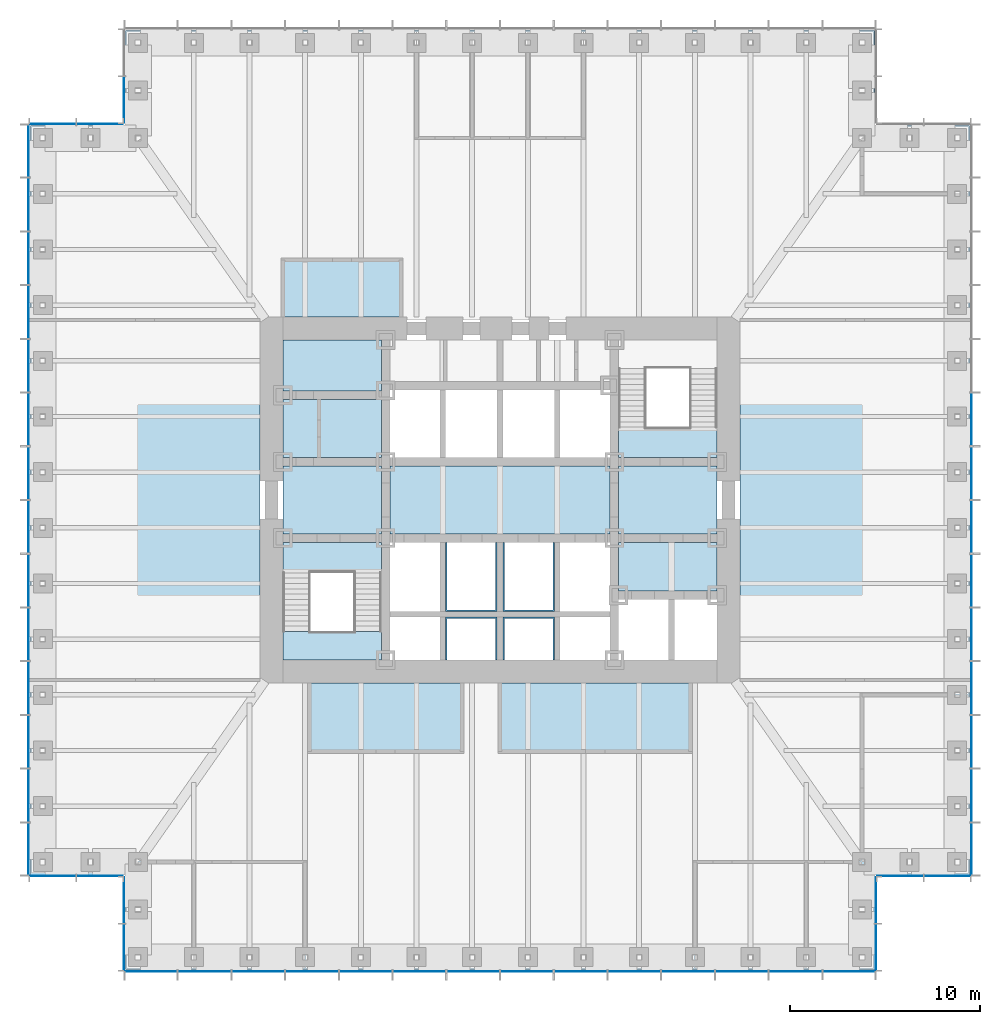
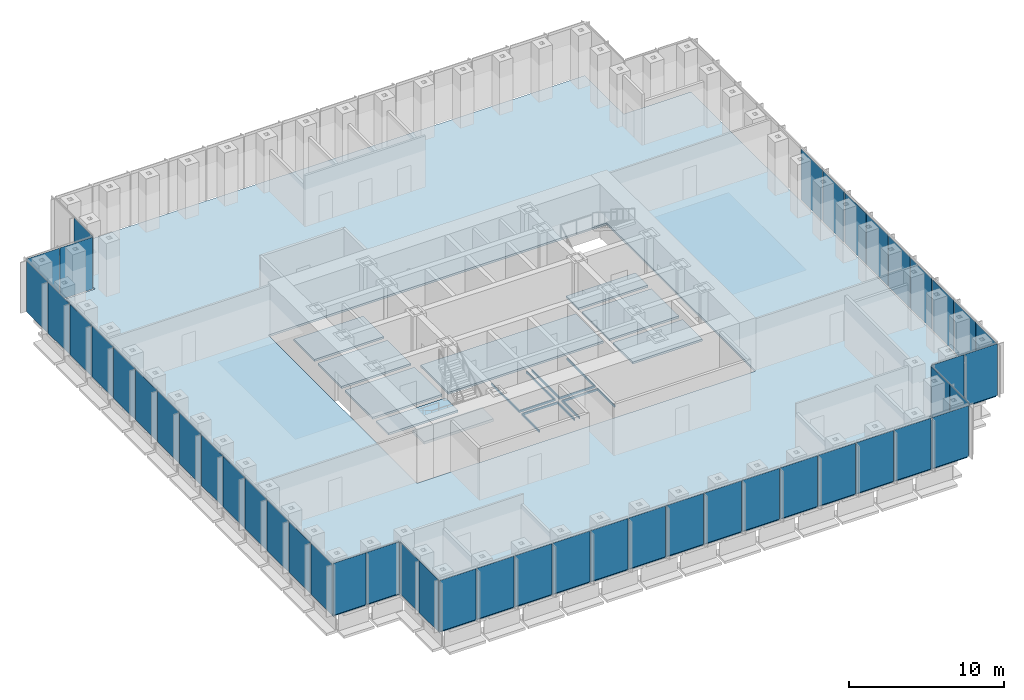
# One storey, part 7 of 16: 48 plates, 14 slabs, 10 elements without a shape of their own.
"""IFC4 building model written with IfcOpenShell, lengths in metres."""

from ifc_helpers import new_model, si_unit, direction, frame, origin, origin_2d, place, context, subcontext, project, spatial, polyline, rectangle, outline, extrude, material, layer, layer_set, type_object, element, aggregate, save


model = new_model("IFC4")

# Units and contexts
model_context = context("Model", 3, precision=1e-05, world=origin(), true_north=direction((0.0, 1.0)))
body_context = subcontext(model_context, "Body", "Model", "MODEL_VIEW")
ifc_project = project(units=[si_unit("LENGTHUNIT", "METRE"), si_unit("AREAUNIT", "SQUARE_METRE"), si_unit("VOLUMEUNIT", "CUBIC_METRE"), si_unit("PLANEANGLEUNIT", "RADIAN"), si_unit("MASSUNIT", "GRAM", prefix="KILO")], contexts=[model_context])

# Site, building, storey
site_placement = place(None, origin())
site = spatial("IfcSite", under=ifc_project, at=site_placement, CompositionType="ELEMENT")
building_placement = place(site_placement, origin())
building = spatial("IfcBuilding", under=site, at=building_placement, Name="Daluyong Arena Tower", CompositionType="ELEMENT")
storey_placement = place(building_placement, frame((0.0, 0.0, 39.10009765625)))
storey = spatial("IfcBuildingStorey", under=building, at=storey_placement, Name="L07", CompositionType="ELEMENT", Elevation=39.10009765625)

# Curtain wall, plates
ifc_material_1 = material(Name="Bronze anodised aluminium and glass", Category="aluminium")
curtain_wall_type_1 = type_object("IfcCurtainWallType", Name="Curtain wall CW1", PredefinedType="USERDEFINED", material=ifc_material_1)
curtain_wall_1_placement = place(storey_placement, origin())
curtain_wall_1 = element("IfcCurtainWall", 1, at=curtain_wall_1_placement, inside=storey, type_object=curtain_wall_type_1, Name="curtain wall L07 S", ObjectType="UNITISED CURTAIN WALL", PredefinedType="USERDEFINED")
ifc_material_2 = material(Name="Tinted double glazed unit", Category="glass")
ifc_layer_1 = layer(ifc_material_2, 0.031982421875)
ifc_layer_set_1 = layer_set([ifc_layer_1], Name="Tinted double glazed unit")
plate_type_1 = type_object("IfcPlateType", Name="CW1 panel 32", PredefinedType="CURTAIN_PANEL", material=ifc_layer_set_1)
plate_1_placement = place(storey_placement, frame((37.6806640625, 55.25, 0.0), z_axis=(0.0, 0.0, 1.0), x_axis=(1.0, 0.0, 0.0)))
plate_1 = element("IfcPlate", 2, at=plate_1_placement, type_object=plate_type_1, Name="curtain wall L07 S panel 1", PredefinedType="CURTAIN_PANEL", context=body_context, shape_type="SweptSolid", body=[
    extrude(rectangle(XDim=2.701416015625, YDim=0.031982421875, at=origin_2d()), origin(), (0.0, 0.0, 1.0), 4.0),
])
plate_2_placement = place(storey_placement, frame((40.482177734375, 55.25, 0.0), z_axis=(0.0, 0.0, 1.0), x_axis=(1.0, 0.0, 0.0)))
plate_2 = element("IfcPlate", 3, at=plate_2_placement, type_object=plate_type_1, Name="curtain wall L07 S panel 2", PredefinedType="CURTAIN_PANEL", context=body_context, shape_type="SweptSolid", body=[
    extrude(rectangle(XDim=2.741455078125, YDim=0.031982421875, at=origin_2d()), origin(), (0.0, 0.0, 1.0), 4.0),
])
plate_3_placement = place(storey_placement, frame((43.303466796875, 55.25, 0.0), z_axis=(0.0, 0.0, 1.0), x_axis=(1.0, 0.0, 0.0)))
plate_3 = element("IfcPlate", 4, at=plate_3_placement, type_object=plate_type_1, Name="curtain wall L07 S panel 3", PredefinedType="CURTAIN_PANEL", context=body_context, shape_type="SweptSolid", body=[
    extrude(rectangle(XDim=2.741455078125, YDim=0.031982421875, at=origin_2d()), origin(), (0.0, 0.0, 1.0), 4.0),
])
plate_4_placement = place(storey_placement, frame((46.125, 55.25, 0.0), z_axis=(0.0, 0.0, 1.0), x_axis=(1.0, 0.0, 0.0)))
plate_4 = element("IfcPlate", 5, at=plate_4_placement, type_object=plate_type_1, Name="curtain wall L07 S panel 4", PredefinedType="CURTAIN_PANEL", context=body_context, shape_type="SweptSolid", body=[
    extrude(rectangle(XDim=2.741455078125, YDim=0.031982421875, at=origin_2d()), origin(), (0.0, 0.0, 1.0), 4.0),
])
plate_5_placement = place(storey_placement, frame((48.946533203125, 55.25, 0.0), z_axis=(0.0, 0.0, 1.0), x_axis=(1.0, 0.0, 0.0)))
plate_5 = element("IfcPlate", 6, at=plate_5_placement, type_object=plate_type_1, Name="curtain wall L07 S panel 5", PredefinedType="CURTAIN_PANEL", context=body_context, shape_type="SweptSolid", body=[
    extrude(rectangle(XDim=2.741455078125, YDim=0.031982421875, at=origin_2d()), origin(), (0.0, 0.0, 1.0), 4.0),
])
plate_6_placement = place(storey_placement, frame((51.767822265625, 55.25, 0.0), z_axis=(0.0, 0.0, 1.0), x_axis=(1.0, 0.0, 0.0)))
plate_6 = element("IfcPlate", 7, at=plate_6_placement, type_object=plate_type_1, Name="curtain wall L07 S panel 6", PredefinedType="CURTAIN_PANEL", context=body_context, shape_type="SweptSolid", body=[
    extrude(rectangle(XDim=2.741455078125, YDim=0.031982421875, at=origin_2d()), origin(), (0.0, 0.0, 1.0), 4.0),
])
plate_7_placement = place(storey_placement, frame((54.58935546875, 55.25, 0.0), z_axis=(0.0, 0.0, 1.0), x_axis=(1.0, 0.0, 0.0)))
plate_7 = element("IfcPlate", 8, at=plate_7_placement, type_object=plate_type_1, Name="curtain wall L07 S panel 7", PredefinedType="CURTAIN_PANEL", context=body_context, shape_type="SweptSolid", body=[
    extrude(rectangle(XDim=2.741455078125, YDim=0.031982421875, at=origin_2d()), origin(), (0.0, 0.0, 1.0), 4.0),
])
plate_8_placement = place(storey_placement, frame((57.41064453125, 55.25, 0.0), z_axis=(0.0, 0.0, 1.0), x_axis=(1.0, 0.0, 0.0)))
plate_8 = element("IfcPlate", 9, at=plate_8_placement, type_object=plate_type_1, Name="curtain wall L07 S panel 8", PredefinedType="CURTAIN_PANEL", context=body_context, shape_type="SweptSolid", body=[
    extrude(rectangle(XDim=2.741455078125, YDim=0.031982421875, at=origin_2d()), origin(), (0.0, 0.0, 1.0), 4.0),
])
plate_9_placement = place(storey_placement, frame((60.232177734375, 55.25, 0.0), z_axis=(0.0, 0.0, 1.0), x_axis=(1.0, 0.0, 0.0)))
plate_9 = element("IfcPlate", 10, at=plate_9_placement, type_object=plate_type_1, Name="curtain wall L07 S panel 9", PredefinedType="CURTAIN_PANEL", context=body_context, shape_type="SweptSolid", body=[
    extrude(rectangle(XDim=2.741455078125, YDim=0.031982421875, at=origin_2d()), origin(), (0.0, 0.0, 1.0), 4.0),
])
plate_10_placement = place(storey_placement, frame((63.053466796875, 55.25, 0.0), z_axis=(0.0, 0.0, 1.0), x_axis=(1.0, 0.0, 0.0)))
plate_10 = element("IfcPlate", 11, at=plate_10_placement, type_object=plate_type_1, Name="curtain wall L07 S panel 10", PredefinedType="CURTAIN_PANEL", context=body_context, shape_type="SweptSolid", body=[
    extrude(rectangle(XDim=2.741455078125, YDim=0.031982421875, at=origin_2d()), origin(), (0.0, 0.0, 1.0), 4.0),
])
plate_11_placement = place(storey_placement, frame((65.875, 55.25, 0.0), z_axis=(0.0, 0.0, 1.0), x_axis=(1.0, 0.0, 0.0)))
plate_11 = element("IfcPlate", 12, at=plate_11_placement, type_object=plate_type_1, Name="curtain wall L07 S panel 11", PredefinedType="CURTAIN_PANEL", context=body_context, shape_type="SweptSolid", body=[
    extrude(rectangle(XDim=2.741455078125, YDim=0.031982421875, at=origin_2d()), origin(), (0.0, 0.0, 1.0), 4.0),
])
plate_12_placement = place(storey_placement, frame((68.696533203125, 55.25, 0.0), z_axis=(0.0, 0.0, 1.0), x_axis=(1.0, 0.0, 0.0)))
plate_12 = element("IfcPlate", 13, at=plate_12_placement, type_object=plate_type_1, Name="curtain wall L07 S panel 12", PredefinedType="CURTAIN_PANEL", context=body_context, shape_type="SweptSolid", body=[
    extrude(rectangle(XDim=2.741455078125, YDim=0.031982421875, at=origin_2d()), origin(), (0.0, 0.0, 1.0), 4.0),
])
plate_13_placement = place(storey_placement, frame((71.517822265625, 55.25, 0.0), z_axis=(0.0, 0.0, 1.0), x_axis=(1.0, 0.0, 0.0)))
plate_13 = element("IfcPlate", 14, at=plate_13_placement, type_object=plate_type_1, Name="curtain wall L07 S panel 13", PredefinedType="CURTAIN_PANEL", context=body_context, shape_type="SweptSolid", body=[
    extrude(rectangle(XDim=2.741455078125, YDim=0.031982421875, at=origin_2d()), origin(), (0.0, 0.0, 1.0), 4.0),
])
plate_14_placement = place(storey_placement, frame((74.3193359375, 55.25, 0.0), z_axis=(0.0, 0.0, 1.0), x_axis=(1.0, 0.0, 0.0)))
plate_14 = element("IfcPlate", 15, at=plate_14_placement, type_object=plate_type_1, Name="curtain wall L07 S panel 14", PredefinedType="CURTAIN_PANEL", context=body_context, shape_type="SweptSolid", body=[
    extrude(rectangle(XDim=2.701416015625, YDim=0.031982421875, at=origin_2d()), origin(), (0.0, 0.0, 1.0), 4.0),
])
aggregate(curtain_wall_1, [plate_1, plate_2, plate_3, plate_4, plate_5, plate_6, plate_7, plate_8, plate_9, plate_10, plate_11, plate_12, plate_13, plate_14])

curtain_wall_2_placement = place(storey_placement, origin())
curtain_wall_2 = element("IfcCurtainWall", 16, at=curtain_wall_2_placement, inside=storey, type_object=curtain_wall_type_1, Name="curtain wall L07 E", ObjectType="UNITISED CURTAIN WALL", PredefinedType="USERDEFINED")
plate_15_placement = place(storey_placement, frame((80.75, 61.6806640625, 0.0), z_axis=(0.0, 0.0, 1.0), x_axis=(0.0, 1.0, 0.0)))
plate_15 = element("IfcPlate", 17, at=plate_15_placement, type_object=plate_type_1, Name="curtain wall L07 E panel 1", PredefinedType="CURTAIN_PANEL", context=body_context, shape_type="SweptSolid", body=[
    extrude(rectangle(XDim=2.701416015625, YDim=0.031982421875, at=origin_2d()), origin(), (0.0, 0.0, 1.0), 4.0),
])
plate_16_placement = place(storey_placement, frame((80.75, 64.482177734375, 0.0), z_axis=(0.0, 0.0, 1.0), x_axis=(0.0, 1.0, 0.0)))
plate_16 = element("IfcPlate", 18, at=plate_16_placement, type_object=plate_type_1, Name="curtain wall L07 E panel 2", PredefinedType="CURTAIN_PANEL", context=body_context, shape_type="SweptSolid", body=[
    extrude(rectangle(XDim=2.741455078125, YDim=0.031982421875, at=origin_2d()), origin(), (0.0, 0.0, 1.0), 4.0),
])
plate_17_placement = place(storey_placement, frame((80.75, 67.303466796875, 0.0), z_axis=(0.0, 0.0, 1.0), x_axis=(0.0, 1.0, 0.0)))
plate_17 = element("IfcPlate", 19, at=plate_17_placement, type_object=plate_type_1, Name="curtain wall L07 E panel 3", PredefinedType="CURTAIN_PANEL", context=body_context, shape_type="SweptSolid", body=[
    extrude(rectangle(XDim=2.741455078125, YDim=0.031982421875, at=origin_2d()), origin(), (0.0, 0.0, 1.0), 4.0),
])
plate_18_placement = place(storey_placement, frame((80.75, 70.125, 0.0), z_axis=(0.0, 0.0, 1.0), x_axis=(0.0, 1.0, 0.0)))
plate_18 = element("IfcPlate", 20, at=plate_18_placement, type_object=plate_type_1, Name="curtain wall L07 E panel 4", PredefinedType="CURTAIN_PANEL", context=body_context, shape_type="SweptSolid", body=[
    extrude(rectangle(XDim=2.741455078125, YDim=0.031982421875, at=origin_2d()), origin(), (0.0, 0.0, 1.0), 4.0),
])
plate_19_placement = place(storey_placement, frame((80.75, 72.946533203125, 0.0), z_axis=(0.0, 0.0, 1.0), x_axis=(0.0, 1.0, 0.0)))
plate_19 = element("IfcPlate", 21, at=plate_19_placement, type_object=plate_type_1, Name="curtain wall L07 E panel 5", PredefinedType="CURTAIN_PANEL", context=body_context, shape_type="SweptSolid", body=[
    extrude(rectangle(XDim=2.741455078125, YDim=0.031982421875, at=origin_2d()), origin(), (0.0, 0.0, 1.0), 4.0),
])
plate_20_placement = place(storey_placement, frame((80.75, 75.767822265625, 0.0), z_axis=(0.0, 0.0, 1.0), x_axis=(0.0, 1.0, 0.0)))
plate_20 = element("IfcPlate", 22, at=plate_20_placement, type_object=plate_type_1, Name="curtain wall L07 E panel 6", PredefinedType="CURTAIN_PANEL", context=body_context, shape_type="SweptSolid", body=[
    extrude(rectangle(XDim=2.741455078125, YDim=0.031982421875, at=origin_2d()), origin(), (0.0, 0.0, 1.0), 4.0),
])
plate_21_placement = place(storey_placement, frame((80.75, 78.58935546875, 0.0), z_axis=(0.0, 0.0, 1.0), x_axis=(0.0, 1.0, 0.0)))
plate_21 = element("IfcPlate", 23, at=plate_21_placement, type_object=plate_type_1, Name="curtain wall L07 E panel 7", PredefinedType="CURTAIN_PANEL", context=body_context, shape_type="SweptSolid", body=[
    extrude(rectangle(XDim=2.741455078125, YDim=0.031982421875, at=origin_2d()), origin(), (0.0, 0.0, 1.0), 4.0),
])
plate_22_placement = place(storey_placement, frame((80.75, 81.41064453125, 0.0), z_axis=(0.0, 0.0, 1.0), x_axis=(0.0, 1.0, 0.0)))
plate_22 = element("IfcPlate", 24, at=plate_22_placement, type_object=plate_type_1, Name="curtain wall L07 E panel 8", PredefinedType="CURTAIN_PANEL", context=body_context, shape_type="SweptSolid", body=[
    extrude(rectangle(XDim=2.741455078125, YDim=0.031982421875, at=origin_2d()), origin(), (0.0, 0.0, 1.0), 4.0),
])
plate_23_placement = place(storey_placement, frame((80.75, 84.232177734375, 0.0), z_axis=(0.0, 0.0, 1.0), x_axis=(0.0, 1.0, 0.0)))
plate_23 = element("IfcPlate", 25, at=plate_23_placement, type_object=plate_type_1, Name="curtain wall L07 E panel 9", PredefinedType="CURTAIN_PANEL", context=body_context, shape_type="SweptSolid", body=[
    extrude(rectangle(XDim=2.741455078125, YDim=0.031982421875, at=origin_2d()), origin(), (0.0, 0.0, 1.0), 4.0),
])
aggregate(curtain_wall_2, [plate_15, plate_16, plate_17, plate_18, plate_19, plate_20, plate_21, plate_22, plate_23])

curtain_wall_3_placement = place(storey_placement, origin())
curtain_wall_3 = element("IfcCurtainWall", 26, at=curtain_wall_3_placement, inside=storey, type_object=curtain_wall_type_1, Name="curtain wall L07 W", ObjectType="UNITISED CURTAIN WALL", PredefinedType="USERDEFINED")
plate_24_placement = place(storey_placement, frame((31.25, 98.3193359375, 0.0), z_axis=(0.0, 0.0, 1.0), x_axis=(0.0, -1.0, 0.0)))
plate_24 = element("IfcPlate", 27, at=plate_24_placement, type_object=plate_type_1, Name="curtain wall L07 W panel 1", PredefinedType="CURTAIN_PANEL", context=body_context, shape_type="SweptSolid", body=[
    extrude(rectangle(XDim=2.701416015625, YDim=0.031982421875, at=origin_2d()), origin(), (0.0, 0.0, 1.0), 4.0),
])
plate_25_placement = place(storey_placement, frame((31.25, 95.517822265625, 0.0), z_axis=(0.0, 0.0, 1.0), x_axis=(0.0, -1.0, 0.0)))
plate_25 = element("IfcPlate", 28, at=plate_25_placement, type_object=plate_type_1, Name="curtain wall L07 W panel 2", PredefinedType="CURTAIN_PANEL", context=body_context, shape_type="SweptSolid", body=[
    extrude(rectangle(XDim=2.741455078125, YDim=0.031982421875, at=origin_2d()), origin(), (0.0, 0.0, 1.0), 4.0),
])
plate_26_placement = place(storey_placement, frame((31.25, 92.696533203125, 0.0), z_axis=(0.0, 0.0, 1.0), x_axis=(0.0, -1.0, 0.0)))
plate_26 = element("IfcPlate", 29, at=plate_26_placement, type_object=plate_type_1, Name="curtain wall L07 W panel 3", PredefinedType="CURTAIN_PANEL", context=body_context, shape_type="SweptSolid", body=[
    extrude(rectangle(XDim=2.741455078125, YDim=0.031982421875, at=origin_2d()), origin(), (0.0, 0.0, 1.0), 4.0),
])
plate_27_placement = place(storey_placement, frame((31.25, 89.875, 0.0), z_axis=(0.0, 0.0, 1.0), x_axis=(0.0, -1.0, 0.0)))
plate_27 = element("IfcPlate", 30, at=plate_27_placement, type_object=plate_type_1, Name="curtain wall L07 W panel 4", PredefinedType="CURTAIN_PANEL", context=body_context, shape_type="SweptSolid", body=[
    extrude(rectangle(XDim=2.741455078125, YDim=0.031982421875, at=origin_2d()), origin(), (0.0, 0.0, 1.0), 4.0),
])
plate_28_placement = place(storey_placement, frame((31.25, 87.053466796875, 0.0), z_axis=(0.0, 0.0, 1.0), x_axis=(0.0, -1.0, 0.0)))
plate_28 = element("IfcPlate", 31, at=plate_28_placement, type_object=plate_type_1, Name="curtain wall L07 W panel 5", PredefinedType="CURTAIN_PANEL", context=body_context, shape_type="SweptSolid", body=[
    extrude(rectangle(XDim=2.741455078125, YDim=0.031982421875, at=origin_2d()), origin(), (0.0, 0.0, 1.0), 4.0),
])
plate_29_placement = place(storey_placement, frame((31.25, 84.232177734375, 0.0), z_axis=(0.0, 0.0, 1.0), x_axis=(0.0, -1.0, 0.0)))
plate_29 = element("IfcPlate", 32, at=plate_29_placement, type_object=plate_type_1, Name="curtain wall L07 W panel 6", PredefinedType="CURTAIN_PANEL", context=body_context, shape_type="SweptSolid", body=[
    extrude(rectangle(XDim=2.741455078125, YDim=0.031982421875, at=origin_2d()), origin(), (0.0, 0.0, 1.0), 4.0),
])
plate_30_placement = place(storey_placement, frame((31.25, 81.41064453125, 0.0), z_axis=(0.0, 0.0, 1.0), x_axis=(0.0, -1.0, 0.0)))
plate_30 = element("IfcPlate", 33, at=plate_30_placement, type_object=plate_type_1, Name="curtain wall L07 W panel 7", PredefinedType="CURTAIN_PANEL", context=body_context, shape_type="SweptSolid", body=[
    extrude(rectangle(XDim=2.741455078125, YDim=0.031982421875, at=origin_2d()), origin(), (0.0, 0.0, 1.0), 4.0),
])
plate_31_placement = place(storey_placement, frame((31.25, 78.58935546875, 0.0), z_axis=(0.0, 0.0, 1.0), x_axis=(0.0, -1.0, 0.0)))
plate_31 = element("IfcPlate", 34, at=plate_31_placement, type_object=plate_type_1, Name="curtain wall L07 W panel 8", PredefinedType="CURTAIN_PANEL", context=body_context, shape_type="SweptSolid", body=[
    extrude(rectangle(XDim=2.741455078125, YDim=0.031982421875, at=origin_2d()), origin(), (0.0, 0.0, 1.0), 4.0),
])
plate_32_placement = place(storey_placement, frame((31.25, 75.767822265625, 0.0), z_axis=(0.0, 0.0, 1.0), x_axis=(0.0, -1.0, 0.0)))
plate_32 = element("IfcPlate", 35, at=plate_32_placement, type_object=plate_type_1, Name="curtain wall L07 W panel 9", PredefinedType="CURTAIN_PANEL", context=body_context, shape_type="SweptSolid", body=[
    extrude(rectangle(XDim=2.741455078125, YDim=0.031982421875, at=origin_2d()), origin(), (0.0, 0.0, 1.0), 4.0),
])
plate_33_placement = place(storey_placement, frame((31.25, 72.946533203125, 0.0), z_axis=(0.0, 0.0, 1.0), x_axis=(0.0, -1.0, 0.0)))
plate_33 = element("IfcPlate", 36, at=plate_33_placement, type_object=plate_type_1, Name="curtain wall L07 W panel 10", PredefinedType="CURTAIN_PANEL", context=body_context, shape_type="SweptSolid", body=[
    extrude(rectangle(XDim=2.741455078125, YDim=0.031982421875, at=origin_2d()), origin(), (0.0, 0.0, 1.0), 4.0),
])
plate_34_placement = place(storey_placement, frame((31.25, 70.125, 0.0), z_axis=(0.0, 0.0, 1.0), x_axis=(0.0, -1.0, 0.0)))
plate_34 = element("IfcPlate", 37, at=plate_34_placement, type_object=plate_type_1, Name="curtain wall L07 W panel 11", PredefinedType="CURTAIN_PANEL", context=body_context, shape_type="SweptSolid", body=[
    extrude(rectangle(XDim=2.741455078125, YDim=0.031982421875, at=origin_2d()), origin(), (0.0, 0.0, 1.0), 4.0),
])
plate_35_placement = place(storey_placement, frame((31.25, 67.303466796875, 0.0), z_axis=(0.0, 0.0, 1.0), x_axis=(0.0, -1.0, 0.0)))
plate_35 = element("IfcPlate", 38, at=plate_35_placement, type_object=plate_type_1, Name="curtain wall L07 W panel 12", PredefinedType="CURTAIN_PANEL", context=body_context, shape_type="SweptSolid", body=[
    extrude(rectangle(XDim=2.741455078125, YDim=0.031982421875, at=origin_2d()), origin(), (0.0, 0.0, 1.0), 4.0),
])
plate_36_placement = place(storey_placement, frame((31.25, 64.482177734375, 0.0), z_axis=(0.0, 0.0, 1.0), x_axis=(0.0, -1.0, 0.0)))
plate_36 = element("IfcPlate", 39, at=plate_36_placement, type_object=plate_type_1, Name="curtain wall L07 W panel 13", PredefinedType="CURTAIN_PANEL", context=body_context, shape_type="SweptSolid", body=[
    extrude(rectangle(XDim=2.741455078125, YDim=0.031982421875, at=origin_2d()), origin(), (0.0, 0.0, 1.0), 4.0),
])
plate_37_placement = place(storey_placement, frame((31.25, 61.6806640625, 0.0), z_axis=(0.0, 0.0, 1.0), x_axis=(0.0, -1.0, 0.0)))
plate_37 = element("IfcPlate", 40, at=plate_37_placement, type_object=plate_type_1, Name="curtain wall L07 W panel 14", PredefinedType="CURTAIN_PANEL", context=body_context, shape_type="SweptSolid", body=[
    extrude(rectangle(XDim=2.701416015625, YDim=0.031982421875, at=origin_2d()), origin(), (0.0, 0.0, 1.0), 4.0),
])
aggregate(curtain_wall_3, [plate_24, plate_25, plate_26, plate_27, plate_28, plate_29, plate_30, plate_31, plate_32, plate_33, plate_34, plate_35, plate_36, plate_37])

ifc_material_3 = material(Name="Bronze anodised aluminium and glass", Category="aluminium")
curtain_wall_type_2 = type_object("IfcCurtainWallType", Name="Curtain wall CW7", PredefinedType="USERDEFINED", material=ifc_material_3)
curtain_wall_4_placement = place(storey_placement, origin())
curtain_wall_4 = element("IfcCurtainWall", 41, at=curtain_wall_4_placement, inside=storey, type_object=curtain_wall_type_2, Name="curtain wall L07 SE-E", ObjectType="UNITISED CURTAIN WALL", PredefinedType="USERDEFINED")
ifc_material_4 = material(Name="Tinted double glazed unit", Category="glass")
ifc_layer_2 = layer(ifc_material_4, 0.028076171875)
ifc_layer_set_2 = layer_set([ifc_layer_2], Name="Tinted double glazed unit")
plate_type_2 = type_object("IfcPlateType", Name="CW7 panel 28", PredefinedType="CURTAIN_PANEL", material=ifc_layer_set_2)
plate_38_placement = place(storey_placement, frame((75.75, 56.514892578125, -0.000244140625), z_axis=(0.0, 0.0, 1.0), x_axis=(0.0, 1.0, 0.0)))
plate_38 = element("IfcPlate", 42, at=plate_38_placement, type_object=plate_type_2, Name="curtain wall L07 SE-E panel 1", PredefinedType="CURTAIN_PANEL", context=body_context, shape_type="SweptSolid", body=[
    extrude(rectangle(XDim=2.409912109375, YDim=0.028076171875, at=origin_2d()), origin(), (0.0, 0.0, 1.0), 4.080078125),
])
plate_39_placement = place(storey_placement, frame((75.75, 58.985107421875, -0.000244140625), z_axis=(0.0, 0.0, 1.0), x_axis=(0.0, 1.0, 0.0)))
plate_39 = element("IfcPlate", 43, at=plate_39_placement, type_object=plate_type_2, Name="curtain wall L07 SE-E panel 2", PredefinedType="CURTAIN_PANEL", context=body_context, shape_type="SweptSolid", body=[
    extrude(rectangle(XDim=2.409912109375, YDim=0.028076171875, at=origin_2d()), origin(), (0.0, 0.0, 1.0), 4.080078125),
])
aggregate(curtain_wall_4, [plate_38, plate_39])

curtain_wall_5_placement = place(storey_placement, origin())
curtain_wall_5 = element("IfcCurtainWall", 44, at=curtain_wall_5_placement, inside=storey, type_object=curtain_wall_type_2, Name="curtain wall L07 SE-S", ObjectType="UNITISED CURTAIN WALL", PredefinedType="USERDEFINED")
plate_40_placement = place(storey_placement, frame((77.014892578125, 60.25, -0.000244140625), z_axis=(0.0, 0.0, 1.0), x_axis=(1.0, 0.0, 0.0)))
plate_40 = element("IfcPlate", 45, at=plate_40_placement, type_object=plate_type_2, Name="curtain wall L07 SE-S panel 1", PredefinedType="CURTAIN_PANEL", context=body_context, shape_type="SweptSolid", body=[
    extrude(rectangle(XDim=2.409912109375, YDim=0.028076171875, at=origin_2d()), origin(), (0.0, 0.0, 1.0), 4.080078125),
])
plate_41_placement = place(storey_placement, frame((79.485107421875, 60.25, -0.000244140625), z_axis=(0.0, 0.0, 1.0), x_axis=(1.0, 0.0, 0.0)))
plate_41 = element("IfcPlate", 46, at=plate_41_placement, type_object=plate_type_2, Name="curtain wall L07 SE-S panel 2", PredefinedType="CURTAIN_PANEL", context=body_context, shape_type="SweptSolid", body=[
    extrude(rectangle(XDim=2.409912109375, YDim=0.028076171875, at=origin_2d()), origin(), (0.0, 0.0, 1.0), 4.080078125),
])
aggregate(curtain_wall_5, [plate_40, plate_41])

# Curtain wall, plate
curtain_wall_6_placement = place(storey_placement, origin())
curtain_wall_6 = element("IfcCurtainWall", 47, at=curtain_wall_6_placement, inside=storey, type_object=curtain_wall_type_2, Name="curtain wall L07 NW-W", ObjectType="UNITISED CURTAIN WALL", PredefinedType="USERDEFINED")
plate_42_placement = place(storey_placement, frame((36.25, 101.014892578125, -0.000244140625), z_axis=(0.0, 0.0, 1.0), x_axis=(0.0, -1.0, 0.0)))
plate_42 = element("IfcPlate", 48, at=plate_42_placement, type_object=plate_type_2, Name="curtain wall L07 NW-W panel 2", PredefinedType="CURTAIN_PANEL", context=body_context, shape_type="SweptSolid", body=[
    extrude(rectangle(XDim=2.409912109375, YDim=0.028076171875, at=origin_2d()), origin(), (0.0, 0.0, 1.0), 4.080078125),
])
aggregate(curtain_wall_6, [plate_42])

# Curtain wall, plates
curtain_wall_7_placement = place(storey_placement, origin())
curtain_wall_7 = element("IfcCurtainWall", 49, at=curtain_wall_7_placement, inside=storey, type_object=curtain_wall_type_2, Name="curtain wall L07 NW-N", ObjectType="UNITISED CURTAIN WALL", PredefinedType="USERDEFINED")
plate_43_placement = place(storey_placement, frame((34.985107421875, 99.75, -0.000244140625), z_axis=(0.0, 0.0, 1.0), x_axis=(-1.0, 0.0, 0.0)))
plate_43 = element("IfcPlate", 50, at=plate_43_placement, type_object=plate_type_2, Name="curtain wall L07 NW-N panel 1", PredefinedType="CURTAIN_PANEL", context=body_context, shape_type="SweptSolid", body=[
    extrude(rectangle(XDim=2.409912109375, YDim=0.028076171875, at=origin_2d()), origin(), (0.0, 0.0, 1.0), 4.080078125),
])
plate_44_placement = place(storey_placement, frame((32.514892578125, 99.75, -0.000244140625), z_axis=(0.0, 0.0, 1.0), x_axis=(-1.0, 0.0, 0.0)))
plate_44 = element("IfcPlate", 51, at=plate_44_placement, type_object=plate_type_2, Name="curtain wall L07 NW-N panel 2", PredefinedType="CURTAIN_PANEL", context=body_context, shape_type="SweptSolid", body=[
    extrude(rectangle(XDim=2.409912109375, YDim=0.028076171875, at=origin_2d()), origin(), (0.0, 0.0, 1.0), 4.080078125),
])
aggregate(curtain_wall_7, [plate_43, plate_44])

curtain_wall_8_placement = place(storey_placement, origin())
curtain_wall_8 = element("IfcCurtainWall", 52, at=curtain_wall_8_placement, inside=storey, type_object=curtain_wall_type_2, Name="curtain wall L07 SW-S", ObjectType="UNITISED CURTAIN WALL", PredefinedType="USERDEFINED")
plate_45_placement = place(storey_placement, frame((32.514892578125, 60.25, -0.000244140625), z_axis=(0.0, 0.0, 1.0), x_axis=(1.0, 0.0, 0.0)))
plate_45 = element("IfcPlate", 53, at=plate_45_placement, type_object=plate_type_2, Name="curtain wall L07 SW-S panel 1", PredefinedType="CURTAIN_PANEL", context=body_context, shape_type="SweptSolid", body=[
    extrude(rectangle(XDim=2.409912109375, YDim=0.028076171875, at=origin_2d()), origin(), (0.0, 0.0, 1.0), 4.080078125),
])
plate_46_placement = place(storey_placement, frame((34.985107421875, 60.25, -0.000244140625), z_axis=(0.0, 0.0, 1.0), x_axis=(1.0, 0.0, 0.0)))
plate_46 = element("IfcPlate", 54, at=plate_46_placement, type_object=plate_type_2, Name="curtain wall L07 SW-S panel 2", PredefinedType="CURTAIN_PANEL", context=body_context, shape_type="SweptSolid", body=[
    extrude(rectangle(XDim=2.409912109375, YDim=0.028076171875, at=origin_2d()), origin(), (0.0, 0.0, 1.0), 4.080078125),
])
aggregate(curtain_wall_8, [plate_45, plate_46])

curtain_wall_9_placement = place(storey_placement, origin())
curtain_wall_9 = element("IfcCurtainWall", 55, at=curtain_wall_9_placement, inside=storey, type_object=curtain_wall_type_2, Name="curtain wall L07 SW-W", ObjectType="UNITISED CURTAIN WALL", PredefinedType="USERDEFINED")
plate_47_placement = place(storey_placement, frame((36.25, 58.985107421875, -0.000244140625), z_axis=(0.0, 0.0, 1.0), x_axis=(0.0, -1.0, 0.0)))
plate_47 = element("IfcPlate", 56, at=plate_47_placement, type_object=plate_type_2, Name="curtain wall L07 SW-W panel 1", PredefinedType="CURTAIN_PANEL", context=body_context, shape_type="SweptSolid", body=[
    extrude(rectangle(XDim=2.409912109375, YDim=0.028076171875, at=origin_2d()), origin(), (0.0, 0.0, 1.0), 4.080078125),
])
plate_48_placement = place(storey_placement, frame((36.25, 56.514892578125, -0.000244140625), z_axis=(0.0, 0.0, 1.0), x_axis=(0.0, -1.0, 0.0)))
plate_48 = element("IfcPlate", 57, at=plate_48_placement, type_object=plate_type_2, Name="curtain wall L07 SW-W panel 2", PredefinedType="CURTAIN_PANEL", context=body_context, shape_type="SweptSolid", body=[
    extrude(rectangle(XDim=2.409912109375, YDim=0.028076171875, at=origin_2d()), origin(), (0.0, 0.0, 1.0), 4.080078125),
])
aggregate(curtain_wall_9, [plate_47, plate_48])

# Stair, slab
ifc_material_5 = material(Name="Concrete fc' 35 MPa", Category="concrete")
stair_type = type_object("IfcStairType", Name="Core exit stair", PredefinedType="HALF_TURN_STAIR", material=ifc_material_5)
stair_placement = place(storey_placement, origin())
stair = element("IfcStair", 58, at=stair_placement, inside=storey, type_object=stair_type, Name="exit stair A L07", PredefinedType="HALF_TURN_STAIR")
ifc_material_6 = material(Name="Concrete fc' 35 MPa", Category="concrete")
ifc_layer_3 = layer(ifc_material_6, 0.199951171875)
ifc_layer_set_3 = layer_set([ifc_layer_3], Name="Concrete fc' 35 MPa")
slab_type_1 = type_object("IfcSlabType", Name="Stair landing 200", PredefinedType="LANDING", material=ifc_layer_set_3)
slab_1_placement = place(storey_placement, frame((0.0, 0.0, 1.89990234375)))
slab_1 = element("IfcSlab", 59, at=slab_1_placement, type_object=slab_type_1, Name="STA landing 1", PredefinedType="LANDING", context=body_context, shape_type="SweptSolid", body=[
    extrude(outline(polyline([(44.60009765625, 71.60009765625), (49.77490234375, 71.60009765625), (49.77490234375, 73.094970703125), (44.60009765625, 73.094970703125), (44.60009765625, 71.60009765625)])), origin(), (0.0, 0.0, 1.0), 0.199951171875),
])
aggregate(stair, [slab_1])

# Slabs
ifc_material_7 = material(Name="Concrete fc' 35 MPa", Category="concrete")
ifc_layer_4 = layer(ifc_material_7, 0.159912109375)
ifc_layer_set_4 = layer_set([ifc_layer_4], Name="Concrete fc' 35 MPa")
slab_type_2 = type_object("IfcSlabType", Name="Tower floor slab 160", PredefinedType="FLOOR", material=ifc_layer_set_4)
slab_2_placement = place(storey_placement, frame((0.0, 0.0, -0.16015625)))
element("IfcSlab", 60, at=slab_2_placement, inside=storey, type_object=slab_type_2, Name="floor L07 part 1", PredefinedType="FLOOR", context=body_context, shape_type="SweptSolid", body=[
    extrude(outline(polyline([(49.77490234375, 76.175048828125), (49.77490234375, 77.77490234375), (44.60009765625, 77.77490234375), (44.60009765625, 76.175048828125), (49.77490234375, 76.175048828125)])), origin(), (0.0, 0.0, 1.0), 0.16015625),
])
slab_3_placement = place(storey_placement, frame((0.0, 0.0, -0.16015625)))
element("IfcSlab", 61, at=slab_3_placement, inside=storey, type_object=slab_type_2, Name="floor L07 part 2", PredefinedType="FLOOR", context=body_context, shape_type="SweptSolid", body=[
    extrude(outline(polyline([(49.77490234375, 78.22509765625), (49.77490234375, 81.77490234375), (44.60009765625, 81.77490234375), (44.60009765625, 78.22509765625), (49.77490234375, 78.22509765625)])), origin(), (0.0, 0.0, 1.0), 0.16015625),
])
slab_4_placement = place(storey_placement, frame((0.0, 0.0, -0.16015625)))
element("IfcSlab", 62, at=slab_4_placement, inside=storey, type_object=slab_type_2, Name="floor L07 part 3", PredefinedType="FLOOR", context=body_context, shape_type="SweptSolid", body=[
    extrude(outline(polyline([(49.77490234375, 82.22509765625), (49.77490234375, 85.27490234375), (44.60009765625, 85.27490234375), (44.60009765625, 82.22509765625), (49.77490234375, 82.22509765625)])), origin(), (0.0, 0.0, 1.0), 0.16015625),
])
slab_5_placement = place(storey_placement, frame((0.0, 0.0, -0.16015625)))
element("IfcSlab", 63, at=slab_5_placement, inside=storey, type_object=slab_type_2, Name="floor L07 part 4", PredefinedType="FLOOR", context=body_context, shape_type="SweptSolid", body=[
    extrude(outline(polyline([(44.60009765625, 88.39990234375), (44.60009765625, 85.72509765625), (49.77490234375, 85.72509765625), (49.77490234375, 88.39990234375), (44.60009765625, 88.39990234375)])), origin(), (0.0, 0.0, 1.0), 0.16015625),
])
slab_6_placement = place(storey_placement, frame((0.0, 0.0, -0.16015625)))
element("IfcSlab", 64, at=slab_6_placement, inside=storey, type_object=slab_type_2, Name="floor L07 part 6", PredefinedType="FLOOR", context=body_context, shape_type="SweptSolid", body=[
    extrude(outline(polyline([(55.77490234375, 73.77490234375), (55.77490234375, 71.60009765625), (55.85009765625, 71.60009765625), (55.85009765625, 73.85009765625), (53.14990234375, 73.85009765625), (53.14990234375, 71.60009765625), (53.22509765625, 71.60009765625), (53.22509765625, 73.77490234375), (55.77490234375, 73.77490234375)])), origin(), (0.0, 0.0, 1.0), 0.16015625),
])
slab_7_placement = place(storey_placement, frame((0.0, 0.0, -0.16015625)))
element("IfcSlab", 65, at=slab_7_placement, inside=storey, type_object=slab_type_2, Name="floor L07 part 7", PredefinedType="FLOOR", context=body_context, shape_type="SweptSolid", body=[
    extrude(outline(polyline([(53.14990234375, 77.77490234375), (53.14990234375, 74.14990234375), (55.85009765625, 74.14990234375), (55.85009765625, 77.77490234375), (55.77490234375, 77.77490234375), (55.77490234375, 74.22509765625), (53.22509765625, 74.22509765625), (53.22509765625, 77.77490234375), (53.14990234375, 77.77490234375)])), origin(), (0.0, 0.0, 1.0), 0.16015625),
])
slab_8_placement = place(storey_placement, frame((0.0, 0.0, -0.16015625)))
element("IfcSlab", 66, at=slab_8_placement, inside=storey, type_object=slab_type_2, Name="floor L07 part 8", PredefinedType="FLOOR", context=body_context, shape_type="SweptSolid", body=[
    extrude(outline(polyline([(36.35009765625, 60.35009765625), (36.35009765625, 55.35009765625), (75.64990234375, 55.35009765625), (75.64990234375, 60.35009765625), (80.64990234375, 60.35009765625), (80.64990234375, 99.64990234375), (75.64990234375, 99.64990234375), (75.64990234375, 104.64990234375), (36.35009765625, 104.64990234375), (36.35009765625, 99.64990234375), (31.35009765625, 99.64990234375), (31.35009765625, 60.35009765625), (36.35009765625, 60.35009765625)]), holes=[polyline([(68.60009765625, 89.60009765625), (68.60009765625, 70.39990234375), (43.39990234375, 70.39990234375), (43.39990234375, 89.60009765625), (68.60009765625, 89.60009765625)])]), origin(), (0.0, 0.0, 1.0), 0.16015625),
])
slab_9_placement = place(storey_placement, frame((0.0, 0.0, -0.16015625)))
element("IfcSlab", 67, at=slab_9_placement, inside=storey, type_object=slab_type_2, Name="floor L07 part 9", PredefinedType="FLOOR", context=body_context, shape_type="SweptSolid", body=[
    extrude(outline(polyline([(61.77490234375, 81.77490234375), (50.22509765625, 81.77490234375), (50.22509765625, 78.22509765625), (61.77490234375, 78.22509765625), (61.77490234375, 81.77490234375)])), origin(), (0.0, 0.0, 1.0), 0.16015625),
])
slab_10_placement = place(storey_placement, frame((0.0, 0.0, -0.16015625)))
element("IfcSlab", 68, at=slab_10_placement, inside=storey, type_object=slab_type_2, Name="floor L07 part 10", PredefinedType="FLOOR", context=body_context, shape_type="SweptSolid", body=[
    extrude(outline(polyline([(58.77490234375, 73.77490234375), (58.77490234375, 71.60009765625), (58.85009765625, 71.60009765625), (58.85009765625, 73.85009765625), (56.14990234375, 73.85009765625), (56.14990234375, 71.60009765625), (56.22509765625, 71.60009765625), (56.22509765625, 73.77490234375), (58.77490234375, 73.77490234375)])), origin(), (0.0, 0.0, 1.0), 0.16015625),
])
slab_11_placement = place(storey_placement, frame((0.0, 0.0, -0.16015625)))
element("IfcSlab", 69, at=slab_11_placement, inside=storey, type_object=slab_type_2, Name="floor L07 part 11", PredefinedType="FLOOR", context=body_context, shape_type="SweptSolid", body=[
    extrude(outline(polyline([(56.14990234375, 77.77490234375), (56.14990234375, 74.14990234375), (58.85009765625, 74.14990234375), (58.85009765625, 77.77490234375), (58.77490234375, 77.77490234375), (58.77490234375, 74.22509765625), (56.22509765625, 74.22509765625), (56.22509765625, 77.77490234375), (56.14990234375, 77.77490234375)])), origin(), (0.0, 0.0, 1.0), 0.16015625),
])
slab_12_placement = place(storey_placement, frame((0.0, 0.0, -0.16015625)))
element("IfcSlab", 70, at=slab_12_placement, inside=storey, type_object=slab_type_2, Name="floor L07 part 13", PredefinedType="FLOOR", context=body_context, shape_type="SweptSolid", body=[
    extrude(outline(polyline([(67.39990234375, 75.22509765625), (67.39990234375, 77.77490234375), (62.22509765625, 77.77490234375), (62.22509765625, 75.22509765625), (67.39990234375, 75.22509765625)])), origin(), (0.0, 0.0, 1.0), 0.16015625),
])
slab_13_placement = place(storey_placement, frame((0.0, 0.0, -0.16015625)))
element("IfcSlab", 71, at=slab_13_placement, inside=storey, type_object=slab_type_2, Name="floor L07 part 14", PredefinedType="FLOOR", context=body_context, shape_type="SweptSolid", body=[
    extrude(outline(polyline([(67.39990234375, 78.22509765625), (67.39990234375, 81.77490234375), (62.22509765625, 81.77490234375), (62.22509765625, 78.22509765625), (67.39990234375, 78.22509765625)])), origin(), (0.0, 0.0, 1.0), 0.16015625),
])
slab_14_placement = place(storey_placement, frame((0.0, 0.0, -0.16015625)))
element("IfcSlab", 72, at=slab_14_placement, inside=storey, type_object=slab_type_2, Name="floor L07 part 15", PredefinedType="FLOOR", context=body_context, shape_type="SweptSolid", body=[
    extrude(outline(polyline([(67.39990234375, 82.22509765625), (67.39990234375, 83.824951171875), (62.22509765625, 83.824951171875), (62.22509765625, 82.22509765625), (67.39990234375, 82.22509765625)])), origin(), (0.0, 0.0, 1.0), 0.16015625),
])

save(model, "model.ifc")
